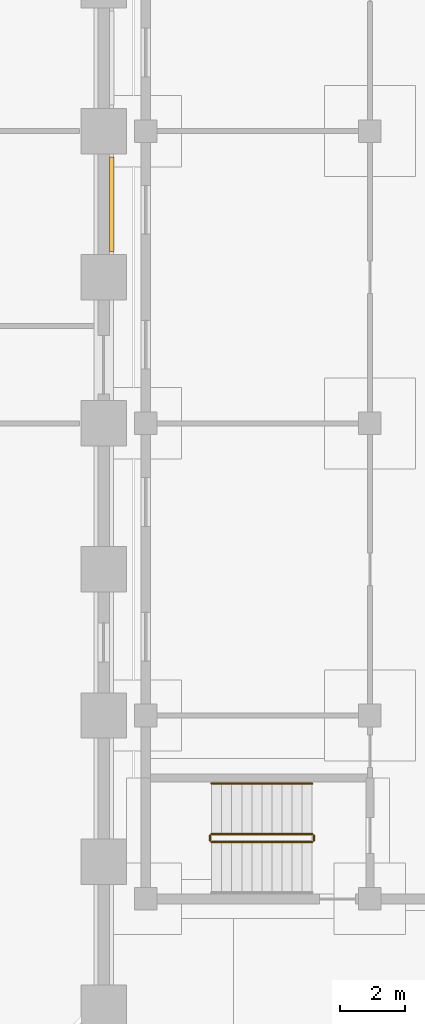
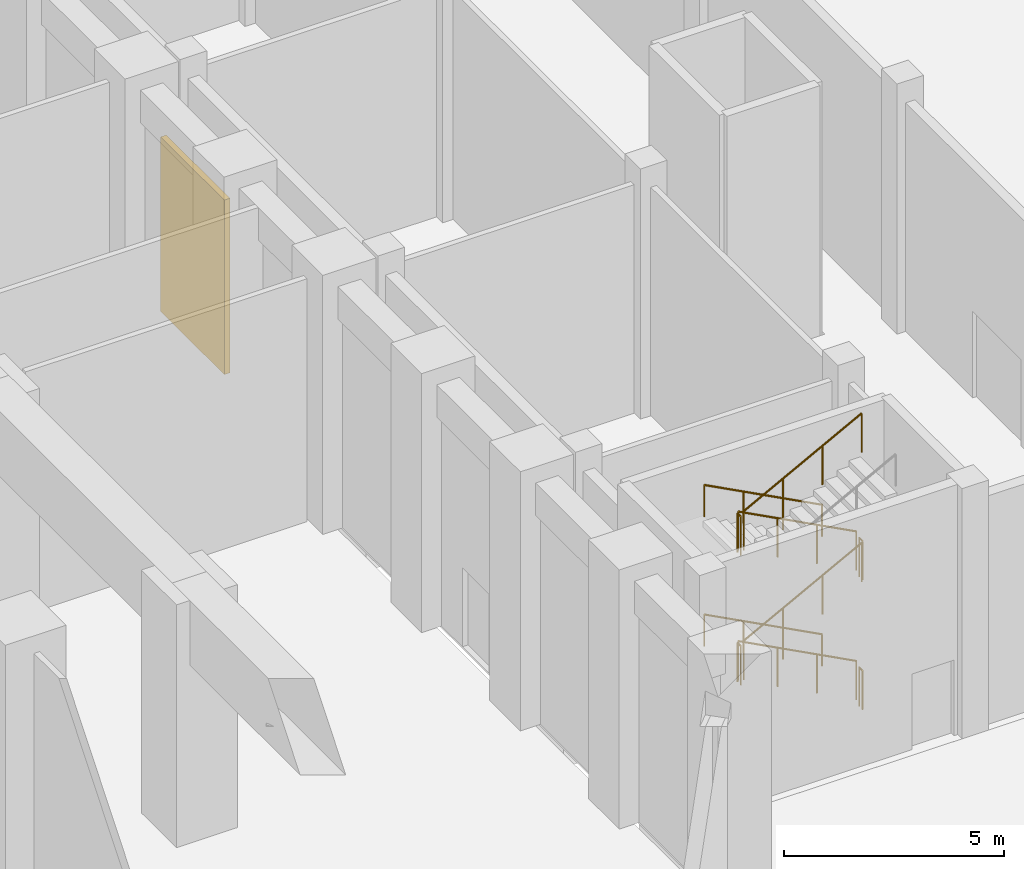
# One storey, part 24 of 30: 10 railings, 1 shading device.
"""IFC4 building model written with IfcOpenShell, lengths in metres."""

from ifc_helpers import new_model, si_unit, direction, frame, origin, origin_2d, place, context, subcontext, project, spatial, rectangle, circle, extrude, material, layer, layer_set, type_object, element, save


model = new_model("IFC4")

# Units and contexts
model_context = context("Model", 3, precision=1e-05, world=origin(), true_north=direction((0.0, 1.0)))
body_context = subcontext(model_context, "Body", "Model", "MODEL_VIEW")
ifc_project = project(units=[si_unit("LENGTHUNIT", "METRE"), si_unit("AREAUNIT", "SQUARE_METRE"), si_unit("VOLUMEUNIT", "CUBIC_METRE"), si_unit("PLANEANGLEUNIT", "RADIAN"), si_unit("MASSUNIT", "GRAM", prefix="KILO")], contexts=[model_context])

# Site, building, storey
site_placement = place(None, origin())
site = spatial("IfcSite", under=ifc_project, at=site_placement, CompositionType="ELEMENT")
building_placement = place(site_placement, origin())
building = spatial("IfcBuilding", under=site, at=building_placement, Name="Corbel Stack Research Tower", CompositionType="ELEMENT")
storey_placement = place(building_placement, origin())
storey = spatial("IfcBuildingStorey", under=building, at=storey_placement, Name="L00", CompositionType="ELEMENT", Elevation=0.0)

# Railings
ifc_material_1 = material(Name="Steel S235", Category="steel")
railing_type_1 = type_object("IfcRailingType", Name="HR1 guard 1100", PredefinedType="GUARDRAIL", material=ifc_material_1)
railing_1_placement = place(storey_placement, frame((42.425048828125, -21.64990234375, 0.16357421875)))
element("IfcRailing", 1, at=railing_1_placement, inside=storey, type_object=railing_type_1, Name="L00 HS1 stair guard 1", PredefinedType="GUARDRAIL", context=body_context, shape_type="SweptSolid", body=[
    extrude(circle(Radius=0.02392578125, at=origin_2d()), frame((0.0, 0.0, 1.076171875), z_axis=(-0.884348015382, 0.0, 0.466828220752), x_axis=(0.0, -1.0, 0.0)), (0.0, 0.0, 1.0), 3.505615234375),
    extrude(circle(Radius=0.02099609375, at=origin_2d()), origin(), (0.0, 0.0, 1.0), 1.052001953125),
    extrude(circle(Radius=0.02099609375, at=origin_2d()), frame((-1.033447265625, 0.0, 0.54541015625)), (0.0, 0.0, 1.0), 1.052001953125),
    extrude(circle(Radius=0.02099609375, at=origin_2d()), frame((-2.066650390625, 0.0, 1.091064453125)), (0.0, 0.0, 1.0), 1.052001953125),
    extrude(circle(Radius=0.02099609375, at=origin_2d()), frame((-3.10009765625, 0.0, 1.636474609375)), (0.0, 0.0, 1.0), 1.052001953125),
])
railing_2_placement = place(storey_placement, frame((39.27490234375, -21.699951171875, 1.800048828125)))
element("IfcRailing", 2, at=railing_2_placement, inside=storey, type_object=railing_type_1, Name="L00 HS1 stair guard 2", PredefinedType="GUARDRAIL", context=body_context, shape_type="SweptSolid", body=[
    extrude(circle(Radius=0.02392578125, at=origin_2d()), frame((0.0, 0.0, 1.076171875), z_axis=(0.0, -1.0, 0.0), x_axis=(1.0, 0.0, 0.0)), (0.0, 0.0, 1.0), 0.150146484375),
    extrude(circle(Radius=0.02099609375, at=origin_2d()), origin(), (0.0, 0.0, 1.0), 1.052001953125),
    extrude(circle(Radius=0.02099609375, at=origin_2d()), frame((0.0, -0.150146484375, 0.0)), (0.0, 0.0, 1.0), 1.052001953125),
])
railing_3_placement = place(storey_placement, frame((39.324951171875, -21.89990234375, 1.963623046875)))
element("IfcRailing", 3, at=railing_3_placement, inside=storey, type_object=railing_type_1, Name="L00 HS1 stair guard 3", PredefinedType="GUARDRAIL", context=body_context, shape_type="SweptSolid", body=[
    extrude(circle(Radius=0.02392578125, at=origin_2d()), frame((0.0, 0.0, 1.076171875), z_axis=(0.884348015382, 0.0, 0.466828220752), x_axis=(0.0, 1.0, 0.0)), (0.0, 0.0, 1.0), 3.505615234375),
    extrude(circle(Radius=0.02099609375, at=origin_2d()), origin(), (0.0, 0.0, 1.0), 1.052001953125),
    extrude(circle(Radius=0.02099609375, at=origin_2d()), frame((1.033447265625, 0.0, 0.54541015625)), (0.0, 0.0, 1.0), 1.052001953125),
    extrude(circle(Radius=0.02099609375, at=origin_2d()), frame((2.066650390625, 0.0, 1.091064453125)), (0.0, 0.0, 1.0), 1.052001953125),
    extrude(circle(Radius=0.02099609375, at=origin_2d()), frame((3.10009765625, 0.0, 1.636474609375)), (0.0, 0.0, 1.0), 1.052001953125),
])
railing_4_placement = place(storey_placement, frame((42.47509765625, -21.699951171875, 3.60009765625)))
element("IfcRailing", 4, at=railing_4_placement, inside=storey, type_object=railing_type_1, Name="L00 HS1 stair guard 4", PredefinedType="GUARDRAIL", context=body_context, shape_type="SweptSolid", body=[
    extrude(circle(Radius=0.02392578125, at=origin_2d()), frame((0.0, 0.0, 1.076171875), z_axis=(0.0, -1.0, 0.0), x_axis=(1.0, 0.0, 0.0)), (0.0, 0.0, 1.0), 0.150146484375),
    extrude(circle(Radius=0.02099609375, at=origin_2d()), origin(), (0.0, 0.0, 1.0), 1.052001953125),
    extrude(circle(Radius=0.02099609375, at=origin_2d()), frame((0.0, -0.150146484375, 0.0)), (0.0, 0.0, 1.0), 1.052001953125),
])
railing_5_placement = place(storey_placement, frame((42.425048828125, -21.64990234375, 3.763671875)))
element("IfcRailing", 5, at=railing_5_placement, inside=storey, type_object=railing_type_1, Name="L00 HS1 stair guard 5", PredefinedType="GUARDRAIL", context=body_context, shape_type="SweptSolid", body=[
    extrude(circle(Radius=0.02392578125, at=origin_2d()), frame((0.0, 0.0, 1.076171875), z_axis=(-0.884376766648, 0.0, 0.46677375099), x_axis=(0.0, -1.0, 0.0)), (0.0, 0.0, 1.0), 3.50537109375),
    extrude(circle(Radius=0.02099609375, at=origin_2d()), origin(), (0.0, 0.0, 1.0), 1.052001953125),
    extrude(circle(Radius=0.02099609375, at=origin_2d()), frame((-1.033447265625, 0.0, 0.54541015625)), (0.0, 0.0, 1.0), 1.052001953125),
    extrude(circle(Radius=0.02099609375, at=origin_2d()), frame((-2.066650390625, 0.0, 1.0908203125)), (0.0, 0.0, 1.0), 1.052001953125),
    extrude(circle(Radius=0.02099609375, at=origin_2d()), frame((-3.10009765625, 0.0, 1.63623046875)), (0.0, 0.0, 1.0), 1.052001953125),
])
railing_6_placement = place(storey_placement, frame((39.27490234375, -21.699951171875, 5.39990234375)))
element("IfcRailing", 6, at=railing_6_placement, inside=storey, type_object=railing_type_1, Name="L00 HS1 stair guard 6", PredefinedType="GUARDRAIL", context=body_context, shape_type="SweptSolid", body=[
    extrude(circle(Radius=0.02392578125, at=origin_2d()), frame((0.0, 0.0, 1.076171875), z_axis=(0.0, -1.0, 0.0), x_axis=(1.0, 0.0, 0.0)), (0.0, 0.0, 1.0), 0.150146484375),
    extrude(circle(Radius=0.02099609375, at=origin_2d()), origin(), (0.0, 0.0, 1.0), 1.052001953125),
    extrude(circle(Radius=0.02099609375, at=origin_2d()), frame((0.0, -0.150146484375, 0.0)), (0.0, 0.0, 1.0), 1.052001953125),
])
railing_7_placement = place(storey_placement, frame((39.324951171875, -21.89990234375, 5.563720703125)))
element("IfcRailing", 7, at=railing_7_placement, inside=storey, type_object=railing_type_1, Name="L00 HS1 stair guard 7", PredefinedType="GUARDRAIL", context=body_context, shape_type="SweptSolid", body=[
    extrude(circle(Radius=0.02392578125, at=origin_2d()), frame((0.0, 0.0, 1.076171875), z_axis=(0.884376766648, 0.0, 0.46677375099), x_axis=(0.0, 1.0, 0.0)), (0.0, 0.0, 1.0), 3.50537109375),
    extrude(circle(Radius=0.02099609375, at=origin_2d()), origin(), (0.0, 0.0, 1.0), 1.052001953125),
    extrude(circle(Radius=0.02099609375, at=origin_2d()), frame((1.033447265625, 0.0, 0.54541015625)), (0.0, 0.0, 1.0), 1.052001953125),
    extrude(circle(Radius=0.02099609375, at=origin_2d()), frame((2.066650390625, 0.0, 1.0908203125)), (0.0, 0.0, 1.0), 1.052001953125),
    extrude(circle(Radius=0.02099609375, at=origin_2d()), frame((3.10009765625, 0.0, 1.63623046875)), (0.0, 0.0, 1.0), 1.052001953125),
])
railing_8_placement = place(storey_placement, frame((42.47509765625, -21.699951171875, 0.0)))
element("IfcRailing", 8, at=railing_8_placement, inside=storey, type_object=railing_type_1, Name="L00 HS1 stair guard 8", PredefinedType="GUARDRAIL", context=body_context, shape_type="SweptSolid", body=[
    extrude(circle(Radius=0.02392578125, at=origin_2d()), frame((0.0, 0.0, 1.076171875), z_axis=(0.0, -1.0, 0.0), x_axis=(1.0, 0.0, 0.0)), (0.0, 0.0, 1.0), 0.150146484375),
    extrude(circle(Radius=0.02099609375, at=origin_2d()), origin(), (0.0, 0.0, 1.0), 1.052001953125),
    extrude(circle(Radius=0.02099609375, at=origin_2d()), frame((0.0, -0.150146484375, 0.0)), (0.0, 0.0, 1.0), 1.052001953125),
])
ifc_material_2 = material(Name="Steel S235", Category="steel")
railing_type_2 = type_object("IfcRailingType", Name="HR2 handrail 900", PredefinedType="HANDRAIL", material=ifc_material_2)
railing_9_placement = place(storey_placement, frame((42.425048828125, -20.10009765625, 0.16357421875)))
element("IfcRailing", 9, at=railing_9_placement, inside=storey, type_object=railing_type_2, Name="L00 HS1 stair handrail 1", PredefinedType="HANDRAIL", context=body_context, shape_type="SweptSolid", body=[
    extrude(circle(Radius=0.02392578125, at=origin_2d()), frame((0.0, 0.0, 0.8759765625), z_axis=(-0.884348015382, 0.0, 0.466828220752), x_axis=(0.0, -1.0, 0.0)), (0.0, 0.0, 1.0), 3.505615234375),
    extrude(circle(Radius=0.02099609375, at=origin_2d()), origin(), (0.0, 0.0, 1.0), 0.851806640625),
    extrude(circle(Radius=0.02099609375, at=origin_2d()), frame((-1.033447265625, 0.0, 0.54541015625)), (0.0, 0.0, 1.0), 0.851806640625),
    extrude(circle(Radius=0.02099609375, at=origin_2d()), frame((-2.066650390625, 0.0, 1.091064453125)), (0.0, 0.0, 1.0), 0.851806640625),
    extrude(circle(Radius=0.02099609375, at=origin_2d()), frame((-3.10009765625, 0.0, 1.636474609375)), (0.0, 0.0, 1.0), 0.851806640625),
])
railing_10_placement = place(storey_placement, frame((42.425048828125, -20.10009765625, 3.763671875)))
element("IfcRailing", 10, at=railing_10_placement, inside=storey, type_object=railing_type_2, Name="L00 HS1 stair handrail 3", PredefinedType="HANDRAIL", context=body_context, shape_type="SweptSolid", body=[
    extrude(circle(Radius=0.02392578125, at=origin_2d()), frame((0.0, 0.0, 0.8759765625), z_axis=(-0.884376766648, 0.0, 0.46677375099), x_axis=(0.0, -1.0, 0.0)), (0.0, 0.0, 1.0), 3.50537109375),
    extrude(circle(Radius=0.02099609375, at=origin_2d()), origin(), (0.0, 0.0, 1.0), 0.851806640625),
    extrude(circle(Radius=0.02099609375, at=origin_2d()), frame((-1.033447265625, 0.0, 0.54541015625)), (0.0, 0.0, 1.0), 0.851806640625),
    extrude(circle(Radius=0.02099609375, at=origin_2d()), frame((-2.066650390625, 0.0, 1.0908203125)), (0.0, 0.0, 1.0), 0.851806640625),
    extrude(circle(Radius=0.02099609375, at=origin_2d()), frame((-3.10009765625, 0.0, 1.63623046875)), (0.0, 0.0, 1.0), 0.851806640625),
])

# Shading device
ifc_material_3 = material(Name="Aluminium louvre", Category="aluminium")
ifc_layer = layer(ifc_material_3, 0.14990234375)
ifc_layer_set = layer_set([ifc_layer], Name="Aluminium louvre")
shading_device_type = type_object("IfcShadingDeviceType", Name="Plant louvre 150", PredefinedType="USERDEFINED", material=ifc_layer_set)
shading_device_placement = place(storey_placement, frame((36.25, -2.25, 0.5), z_axis=(0.0, 0.0, 1.0), x_axis=(0.0, 1.0, 0.0)))
element("IfcShadingDevice", 11, at=shading_device_placement, inside=storey, type_object=shading_device_type, Name="Plant louvre L00 E06", ObjectType="LOUVRE", PredefinedType="USERDEFINED", context=body_context, shape_type="SweptSolid", body=[
    extrude(rectangle(XDim=2.89990234375, YDim=0.14990234375, at=origin_2d()), origin(), (0.0, 0.0, 1.0), 4.85009765625),
])

save(model, "model.ifc")
